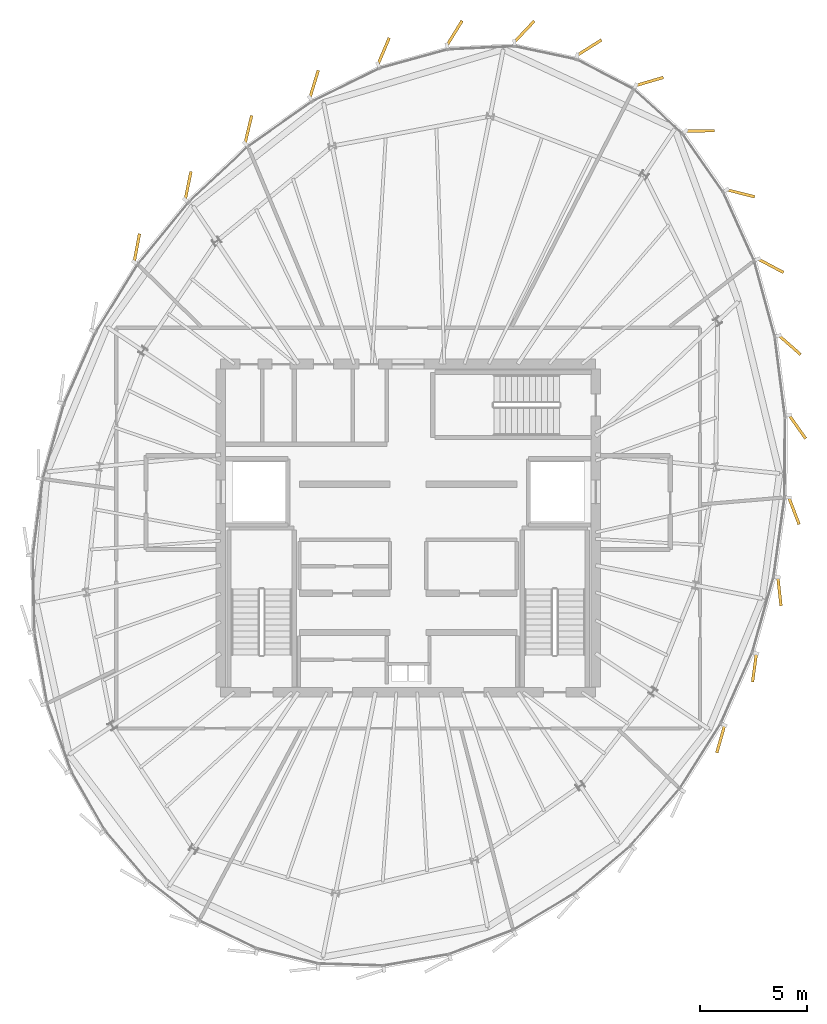
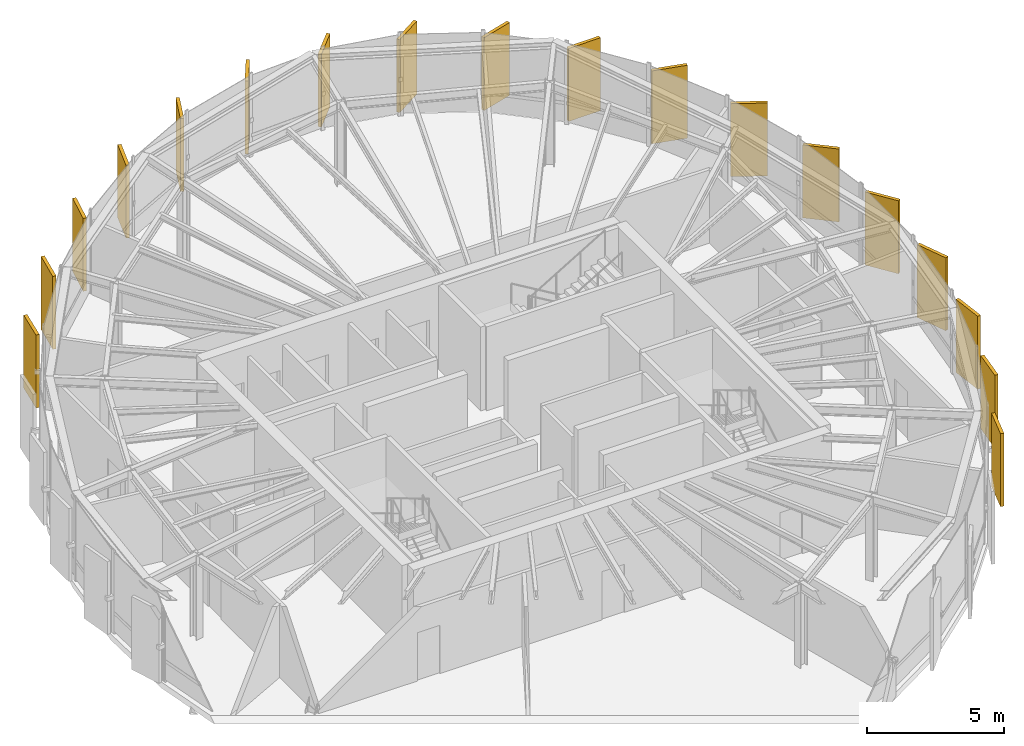
# One storey, part 26 of 26: 18 coverings.
"""IFC4 building model written with IfcOpenShell, lengths in metres."""

from ifc_helpers import new_model, si_unit, direction, frame, origin, origin_2d, place, context, subcontext, project, spatial, rectangle, extrude, source, transform, mapped, material, layer, layer_set, type_object, element, save


model = new_model("IFC4")

# Units and contexts
model_context = context("Model", 3, precision=1e-05, world=origin(), true_north=direction((0.0, 1.0)))
body_context = subcontext(model_context, "Body", "Model", "MODEL_VIEW")
ifc_project = project(units=[si_unit("LENGTHUNIT", "METRE"), si_unit("AREAUNIT", "SQUARE_METRE"), si_unit("VOLUMEUNIT", "CUBIC_METRE"), si_unit("PLANEANGLEUNIT", "RADIAN"), si_unit("MASSUNIT", "GRAM", prefix="KILO"), si_unit("THERMODYNAMICTEMPERATUREUNIT", "KELVIN")], contexts=[model_context])

# Site, building, storey
site_placement = place(None, origin())
site = spatial("IfcSite", under=ifc_project, at=site_placement, CompositionType="ELEMENT")
building_placement = place(site_placement, origin())
building = spatial("IfcBuilding", under=site, at=building_placement, Name="Kethvar Cultural Tower", CompositionType="ELEMENT")
storey_placement = place(building_placement, frame((0.0, 0.0, 316.300048828125)))
storey = spatial("IfcBuildingStorey", under=building, at=storey_placement, Name="L84", CompositionType="ELEMENT", Elevation=316.300048828125)

# Coverings
ifc_material = material(Name="Extruded Architectural Terracotta", Category="masonry")
ifc_layer = layer(ifc_material, 0.135009765625, Name="Extruded Architectural Terracotta", Category="masonry")
ifc_layer_set = layer_set([ifc_layer], Name="Extruded Architectural Terracotta (135 mm)")
covering_type = type_object("IfcCoveringType", Name="Terracotta Facade Fin FIN-03", PredefinedType="CLADDING", material=ifc_layer_set)
shared_shape = source(origin(), body_context, "Body", "SweptSolid", [
    extrude(rectangle(XDim=1.35009765625, YDim=0.135009765625, at=origin_2d()), origin(), (0.0, 0.0, 1.0), 3.25),
])
for number, where, z_axis, x_axis, name in (
    (1, (55.304443359375, 50.351806640625, 0.02001953125), (0.0, 0.0, 1.0), (0.845820942125, 0.533466900438, 0.0), "L84 Vertical Terracotta Fin 1.1"),
    (2, (52.253662109375, 51.106201171875, 0.02001953125), (0.0, 0.0, 1.0), (0.686706983029, 0.726934329537, 0.0), "L84 Vertical Terracotta Fin 1.2"),
    (3, (48.978759765625, 51.037353515625, 0.02001953125), (0.0, 0.0, 1.0), (0.525323148518, 0.850902808569, 0.0), "L84 Vertical Terracotta Fin 1.3"),
    (4, (45.64892578125, 50.185546875, 0.02001953125), (0.0, 0.0, 1.0), (0.390570464134, 0.920573034879, 0.0), "L84 Vertical Terracotta Fin 1.4"),
    (5, (42.385009765625, 48.638916015625, 0.02001953125), (0.0, 0.0, 1.0), (0.293039260085, 0.956100408978, 0.0), "L84 Vertical Terracotta Fin 1.5"),
    (6, (39.30029296875, 46.507080078125, 0.02001953125), (0.0, 0.0, 1.0), (0.231408326543, 0.972856714222, 0.0), "L84 Vertical Terracotta Fin 1.6"),
    (7, (36.47265625, 43.87451171875, 0.02001953125), (0.0, 0.0, 1.0), (0.200052002278, 0.979785280755, 0.0), "L84 Vertical Terracotta Fin 2.1"),
    (8, (34.06689453125, 40.952392578125, 0.02001953125), (0.0, 0.0, 1.0), (0.183608230249, 0.982999500399, 0.0), "L84 Vertical Terracotta Fin 2.2"),
    (9, (61.469970703125, 17.903564453125, 0.02001953125), (0.0, 0.0, 1.0), (-0.273959218692, -0.961741309549, 0.0), "L84 Vertical Terracotta Fin 5.3"),
    (10, (63.055908203125, 21.251953125, 0.02001953125), (0.0, 0.0, 1.0), (-0.134505044618, -0.990912908874, 0.0), "L84 Vertical Terracotta Fin 5.4"),
    (11, (64.22607421875, 24.82421875, 0.02001953125), (0.0, 0.0, 1.0), (0.108693377634, -0.994075323936, 0.0), "L84 Vertical Terracotta Fin 5.5"),
    (12, (64.908447265625, 28.607177734375, 0.02001953125), (0.0, 0.0, 1.0), (0.356248802122, -0.934391133833, 0.0), "L84 Vertical Terracotta Fin 5.6"),
    (13, (65.069091796875, 32.550048828125, 0.02001953125), (0.0, 0.0, 1.0), (0.576004381105, -0.817446605564, 0.0), "L84 Vertical Terracotta Fin 6.1"),
    (14, (64.7099609375, 36.393798828125, 0.02001953125), (0.0, 0.0, 1.0), (0.751609606571, -0.659608216527, 0.0), "L84 Vertical Terracotta Fin 6.2"),
    (15, (63.818359375, 40.114501953125, 0.02001953125), (0.0, 0.0, 1.0), (0.88343873811, -0.468546684981, 0.0), "L84 Vertical Terracotta Fin 6.3"),
    (16, (62.41015625, 43.5146484375, 0.02001953125), (0.0, 0.0, 1.0), (0.969273856799, -0.245984126575, 0.0), "L84 Vertical Terracotta Fin 6.4"),
    (17, (60.503662109375, 46.4443359375, 0.02001953125), (0.0, 0.0, 1.0), (0.999961923064, 0.008726535498, 0.0), "L84 Vertical Terracotta Fin 6.5"),
    (18, (58.129150390625, 48.76171875, 0.02001953125), (0.0, 0.0, 1.0), (0.959756291775, 0.28083422227, 0.0), "L84 Vertical Terracotta Fin 6.6"),
):
    element("IfcCovering", number, at=place(storey_placement, frame(where, z_axis=z_axis, x_axis=x_axis)), inside=storey, type_object=covering_type, Name=name, PredefinedType="CLADDING", context=body_context, shape_type="MappedRepresentation", body=[
        mapped(shared_shape, transform((0.0, 0.0, 0.0), scale=1.0)),
    ])

save(model, "model.ifc")
